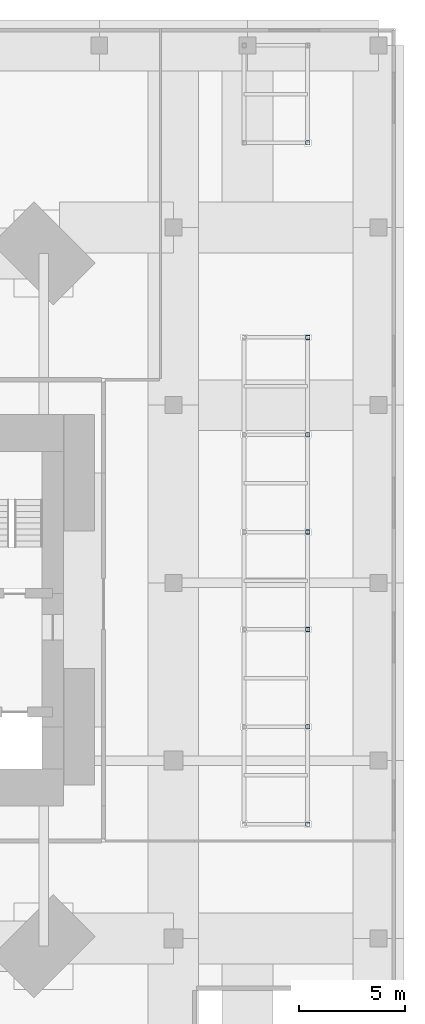
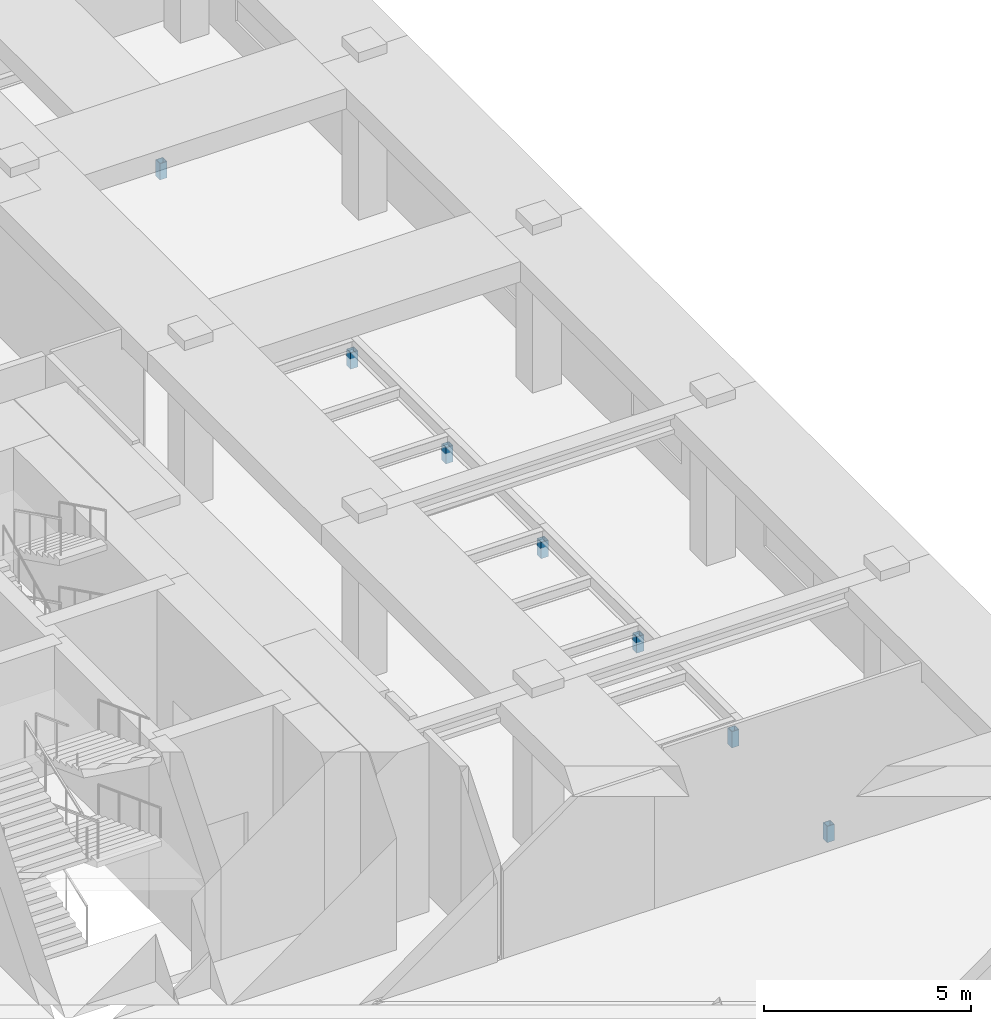
# One storey, part 8 of 17: 7 members.
"""IFC4 building model written with IfcOpenShell, lengths in metres."""

from ifc_helpers import new_model, si_unit, direction, frame, origin, origin_2d, place, context, subcontext, project, spatial, hollow_rectangle, extrude, material, material_profile, profile_set, type_object, element, save


model = new_model("IFC4")

# Units and contexts
model_context = context("Model", 3, precision=1e-05, world=origin(), true_north=direction((0.0, 1.0)))
body_context = subcontext(model_context, "Body", "Model", "MODEL_VIEW")
ifc_project = project(units=[si_unit("LENGTHUNIT", "METRE"), si_unit("AREAUNIT", "SQUARE_METRE"), si_unit("VOLUMEUNIT", "CUBIC_METRE"), si_unit("PLANEANGLEUNIT", "RADIAN"), si_unit("MASSUNIT", "GRAM", prefix="KILO")], contexts=[model_context])

# Site, building, storey
site_placement = place(None, origin())
site = spatial("IfcSite", under=ifc_project, at=site_placement, CompositionType="ELEMENT")
building_placement = place(site_placement, origin())
building = spatial("IfcBuilding", under=site, at=building_placement, Name="Jalousie Tower", CompositionType="ELEMENT")
storey_placement = place(building_placement, frame((0.0, 0.0, 16.0)))
storey = spatial("IfcBuildingStorey", under=building, at=storey_placement, Name="L03", CompositionType="ELEMENT", Elevation=16.0)

# Members
ifc_material = material(Name="Steel ASTM A500 Grade C", Category="steel")
ifc_material_profile = material_profile(ifc_material, hollow_rectangle(XDim=0.203125, YDim=0.203125, WallThickness=0.0126953125, at=origin_2d()), Name="HSS8X8X1/2")
ifc_profile_set = profile_set([ifc_material_profile], Name="Steel ASTM A500 Grade C")
member_type = type_object("IfcMemberType", Name="PLANT SUPPORT STOOL HSS8X8X1/2", PredefinedType="POST", material=ifc_profile_set)
for number, where, z_axis, x_axis, name in (
    (1, (55.85009765625, 8.39990234375, -0.280029296875), (0.0, 0.0, 1.0), (1.0, 0.0, 0.0), "Plant support stool Air handling plant room L03"),
    (2, (55.85009765625, 13.0, -0.280029296875), (0.0, 0.0, 1.0), (1.0, 0.0, 0.0), "Plant support stool Air handling plant room L03"),
    (3, (55.85009765625, 17.60009765625, -0.280029296875), (0.0, 0.0, 1.0), (1.0, 0.0, 0.0), "Plant support stool Air handling plant room L03"),
    (4, (55.85009765625, 22.199951171875, -0.280029296875), (0.0, 0.0, 1.0), (1.0, 0.0, 0.0), "Plant support stool Air handling plant room L03"),
    (5, (55.85009765625, 26.800048828125, -0.280029296875), (0.0, 0.0, 1.0), (1.0, 0.0, 0.0), "Plant support stool Air handling plant room L03"),
    (6, (55.85009765625, 31.39990234375, -0.280029296875), (0.0, 0.0, 1.0), (1.0, 0.0, 0.0), "Plant support stool Air handling plant room L03"),
    (7, (55.85009765625, 40.60009765625, -0.280029296875), (0.0, 0.0, 1.0), (1.0, 0.0, 0.0), "Plant support stool Air handling plant room L03"),
):
    element("IfcMember", number, at=place(storey_placement, frame(where, z_axis=z_axis, x_axis=x_axis)), inside=storey, type_object=member_type, Name=name, PredefinedType="POST", context=body_context, shape_type="SweptSolid", body=[
        extrude(hollow_rectangle(XDim=0.203125, YDim=0.203125, WallThickness=0.0126953125, at=origin_2d()), origin(), (0.0, 0.0, 1.0), 0.47998046875),
    ])

save(model, "model.ifc")
